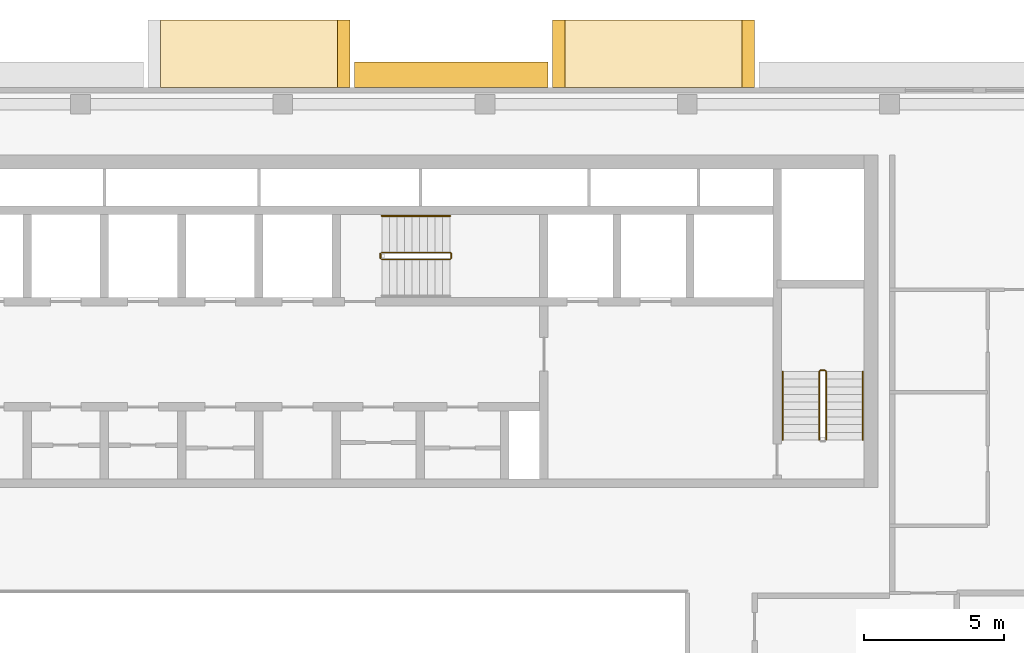
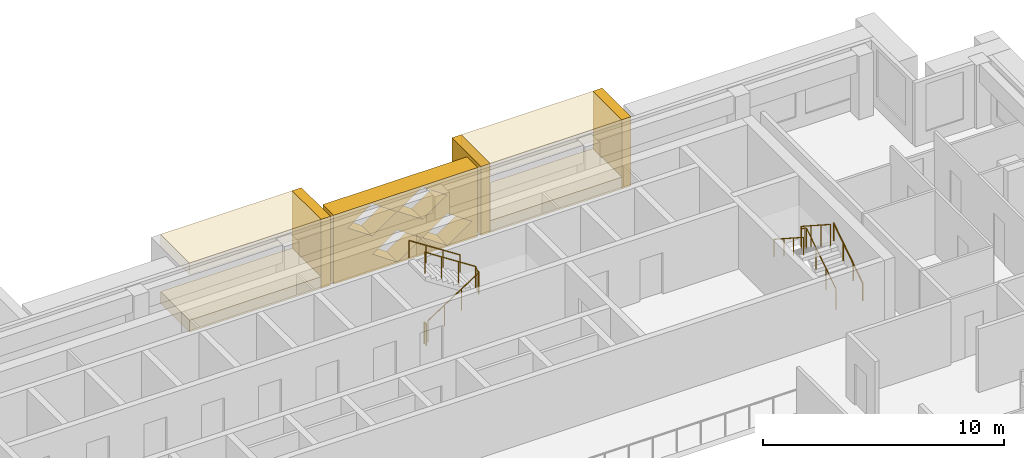
# One storey, part 18 of 19: 8 coverings, 6 railings.
"""IFC4 building model written with IfcOpenShell, lengths in metres."""

from ifc_helpers import new_model, si_unit, direction, frame, origin, origin_2d, place, context, subcontext, project, spatial, polyline, circle, outline, extrude, material, type_object, element, save


model = new_model("IFC4")

# Units and contexts
model_context = context("Model", 3, precision=1e-05, world=origin(), true_north=direction((0.0, 1.0)))
body_context = subcontext(model_context, "Body", "Model", "MODEL_VIEW")
ifc_project = project(units=[si_unit("LENGTHUNIT", "METRE"), si_unit("AREAUNIT", "SQUARE_METRE"), si_unit("VOLUMEUNIT", "CUBIC_METRE"), si_unit("PLANEANGLEUNIT", "RADIAN"), si_unit("MASSUNIT", "GRAM", prefix="KILO")], contexts=[model_context])

# Site, building, storey
site_placement = place(None, origin())
site = spatial("IfcSite", under=ifc_project, at=site_placement, CompositionType="ELEMENT")
building_placement = place(site_placement, origin())
building = spatial("IfcBuilding", under=site, at=building_placement, Name="Saffron Iwan Residences", CompositionType="ELEMENT")
storey_placement = place(building_placement, frame((0.0, 0.0, 229.0)))
storey = spatial("IfcBuildingStorey", under=building, at=storey_placement, Name="L61", CompositionType="ELEMENT", Elevation=229.0)

# Covering
ifc_material_1 = material(Name="Precast concrete C40/50", Category="concrete")
covering_type_1 = type_object("IfcCoveringType", Name="OUTER SKIN LATTICE SCREEN", PredefinedType="CLADDING", material=ifc_material_1)
covering_1_placement = place(storey_placement, frame((59.85009765625, 80.39990234375, -0.280029296875), z_axis=(0.0, 1.0, 0.0), x_axis=(-1.0, 0.0, 0.0)))
element("IfcCovering", 1, at=covering_1_placement, inside=storey, type_object=covering_type_1, Name="OUTER SKIN lattice screen L61 F5.1", PredefinedType="CLADDING", context=body_context, shape_type="SweptSolid", body=[
    extrude(outline(polyline([(0.0, 0.0), (6.89990234375, 0.0), (6.89990234375, 3.5), (0.0, 3.5), (0.0, 0.0)]), holes=[polyline([(0.27001953125, 0.875), (1.449951171875, 0.06005859375), (2.6298828125, 0.875), (1.449951171875, 1.68994140625), (0.27001953125, 0.875)]), polyline([(2.669921875, 0.875), (3.85009765625, 0.06005859375), (5.030029296875, 0.875), (3.85009765625, 1.68994140625), (2.669921875, 0.875)]), polyline([(1.469970703125, 2.625), (2.64990234375, 1.81005859375), (3.830078125, 2.625), (2.64990234375, 3.43994140625), (1.469970703125, 2.625)]), polyline([(3.8701171875, 2.625), (5.050048828125, 1.81005859375), (6.22998046875, 2.625), (5.050048828125, 3.43994140625), (3.8701171875, 2.625)])]), origin(), (0.0, 0.0, 1.0), 0.900146484375),
])

# Railings
ifc_material_2 = material(Name="Steel S355", Category="steel")
railing_type_1 = type_object("IfcRailingType", Name="Stair guard 1100", PredefinedType="GUARDRAIL", material=ifc_material_2)
railing_1_placement = place(storey_placement, frame((53.925048828125, 74.27490234375, 0.175048828125)))
element("IfcRailing", 2, at=railing_1_placement, inside=storey, type_object=railing_type_1, Name="L61 ST-C stair guard 1", PredefinedType="GUARDRAIL", context=body_context, shape_type="SweptSolid", body=[
    extrude(circle(Radius=0.02392578125, at=origin_2d()), frame((0.0, 0.0, 1.076171875), z_axis=(0.839153699163, 0.0, 0.543894354798), x_axis=(0.0, 1.0, 0.0)), (0.0, 0.0, 1.0), 2.895751953125),
    extrude(circle(Radius=0.02392578125, at=origin_2d()), frame((2.429931640625, 0.0, 2.65087890625), z_axis=(0.707106781187, 0.707106781187, 0.0), x_axis=(-0.707106781187, 0.707106781187, 0.0)), (0.0, 0.0, 1.0), 0.07080078125),
    extrude(circle(Radius=0.02392578125, at=origin_2d()), frame((2.47998046875, 0.050048828125, 2.65087890625), z_axis=(0.0, 1.0, 0.0), x_axis=(-1.0, 0.0, 0.0)), (0.0, 0.0, 1.0), 0.150146484375),
    extrude(circle(Radius=0.02392578125, at=origin_2d()), frame((2.47998046875, 0.2001953125, 2.65087890625), z_axis=(-0.265155923931, 0.263862480399, 0.927399011991), x_axis=(-0.705375805398, -0.708833529934, 0.0)), (0.0, 0.0, 1.0), 0.188720703125),
    extrude(circle(Radius=0.02392578125, at=origin_2d()), frame((2.429931640625, 0.25, 2.826171875), z_axis=(-0.839153699163, 0.0, 0.543894354798), x_axis=(0.0, -1.0, 0.0)), (0.0, 0.0, 1.0), 2.895751953125),
    extrude(circle(Radius=0.02099609375, at=origin_2d()), origin(), (0.0, 0.0, 1.0), 1.052001953125),
    extrude(circle(Radius=0.02099609375, at=origin_2d()), frame((0.81005859375, 0.0, 0.52490234375)), (0.0, 0.0, 1.0), 1.052001953125),
    extrude(circle(Radius=0.02099609375, at=origin_2d()), frame((1.619873046875, 0.0, 1.050048828125)), (0.0, 0.0, 1.0), 1.052001953125),
    extrude(circle(Radius=0.02099609375, at=origin_2d()), frame((2.429931640625, 0.0, 1.574951171875)), (0.0, 0.0, 1.0), 1.052001953125),
    extrude(circle(Radius=0.02099609375, at=origin_2d()), frame((2.47998046875, 0.050048828125, 1.574951171875)), (0.0, 0.0, 1.0), 1.052001953125),
    extrude(circle(Radius=0.02099609375, at=origin_2d()), frame((2.47998046875, 0.2001953125, 1.574951171875)), (0.0, 0.0, 1.0), 1.052001953125),
    extrude(circle(Radius=0.02099609375, at=origin_2d()), frame((2.429931640625, 0.25, 1.75)), (0.0, 0.0, 1.0), 1.052001953125),
    extrude(circle(Radius=0.02099609375, at=origin_2d()), frame((1.619873046875, 0.25, 2.27490234375)), (0.0, 0.0, 1.0), 1.052001953125),
    extrude(circle(Radius=0.02099609375, at=origin_2d()), frame((0.81005859375, 0.25, 2.800048828125)), (0.0, 0.0, 1.0), 1.052001953125),
    extrude(circle(Radius=0.02099609375, at=origin_2d()), frame((0.0, 0.25, 3.324951171875)), (0.0, 0.0, 1.0), 1.052001953125),
])
railing_2_placement = place(storey_placement, frame((53.875, 74.324951171875, 0.0)))
element("IfcRailing", 3, at=railing_2_placement, inside=storey, type_object=railing_type_1, Name="L61 ST-C stair guard 2", PredefinedType="GUARDRAIL", context=body_context, shape_type="SweptSolid", body=[
    extrude(circle(Radius=0.02392578125, at=origin_2d()), frame((0.0, 0.0, 1.076171875), z_axis=(0.0, 1.0, 0.0), x_axis=(-1.0, 0.0, 0.0)), (0.0, 0.0, 1.0), 0.150146484375),
    extrude(circle(Radius=0.02099609375, at=origin_2d()), origin(), (0.0, 0.0, 1.0), 1.052001953125),
    extrude(circle(Radius=0.02099609375, at=origin_2d()), frame((0.0, 0.150146484375, 0.0)), (0.0, 0.0, 1.0), 1.052001953125),
])
railing_3_placement = place(storey_placement, frame((69.75, 67.85009765625, 0.175048828125)))
element("IfcRailing", 4, at=railing_3_placement, inside=storey, type_object=railing_type_1, Name="L61 ST-E stair guard 1", PredefinedType="GUARDRAIL", context=body_context, shape_type="SweptSolid", body=[
    extrude(circle(Radius=0.02392578125, at=origin_2d()), frame((0.0, 0.0, 1.076171875), z_axis=(0.0, 0.839153699163, 0.543894354798), x_axis=(-1.0, 0.0, 0.0)), (0.0, 0.0, 1.0), 2.895751953125),
    extrude(circle(Radius=0.02392578125, at=origin_2d()), frame((0.0, 2.429931640625, 2.65087890625), z_axis=(-0.707106781187, 0.707106781187, 0.0), x_axis=(-0.707106781187, -0.707106781187, 0.0)), (0.0, 0.0, 1.0), 0.07080078125),
    extrude(circle(Radius=0.02392578125, at=origin_2d()), frame((-0.050048828125, 2.47998046875, 2.65087890625), z_axis=(-1.0, 0.0, 0.0), x_axis=(0.0, -1.0, 0.0)), (0.0, 0.0, 1.0), 0.14990234375),
    extrude(circle(Radius=0.02392578125, at=origin_2d()), frame((-0.199951171875, 2.47998046875, 2.65087890625), z_axis=(-0.265065253269, -0.265065253269, 0.927081885822), x_axis=(0.707106781187, -0.707106781187, 0.0)), (0.0, 0.0, 1.0), 0.188720703125),
    extrude(circle(Radius=0.02392578125, at=origin_2d()), frame((-0.25, 2.429931640625, 2.826171875), z_axis=(0.0, -0.839153699163, 0.543894354798), x_axis=(1.0, 0.0, 0.0)), (0.0, 0.0, 1.0), 2.895751953125),
    extrude(circle(Radius=0.02099609375, at=origin_2d()), origin(), (0.0, 0.0, 1.0), 1.052001953125),
    extrude(circle(Radius=0.02099609375, at=origin_2d()), frame((0.0, 0.81005859375, 0.52490234375)), (0.0, 0.0, 1.0), 1.052001953125),
    extrude(circle(Radius=0.02099609375, at=origin_2d()), frame((0.0, 1.619873046875, 1.050048828125)), (0.0, 0.0, 1.0), 1.052001953125),
    extrude(circle(Radius=0.02099609375, at=origin_2d()), frame((0.0, 2.429931640625, 1.574951171875)), (0.0, 0.0, 1.0), 1.052001953125),
    extrude(circle(Radius=0.02099609375, at=origin_2d()), frame((-0.050048828125, 2.47998046875, 1.574951171875)), (0.0, 0.0, 1.0), 1.052001953125),
    extrude(circle(Radius=0.02099609375, at=origin_2d()), frame((-0.199951171875, 2.47998046875, 1.574951171875)), (0.0, 0.0, 1.0), 1.052001953125),
    extrude(circle(Radius=0.02099609375, at=origin_2d()), frame((-0.25, 2.429931640625, 1.75)), (0.0, 0.0, 1.0), 1.052001953125),
    extrude(circle(Radius=0.02099609375, at=origin_2d()), frame((-0.25, 1.619873046875, 2.27490234375)), (0.0, 0.0, 1.0), 1.052001953125),
    extrude(circle(Radius=0.02099609375, at=origin_2d()), frame((-0.25, 0.81005859375, 2.800048828125)), (0.0, 0.0, 1.0), 1.052001953125),
    extrude(circle(Radius=0.02099609375, at=origin_2d()), frame((-0.25, 0.0, 3.324951171875)), (0.0, 0.0, 1.0), 1.052001953125),
])
ifc_material_3 = material(Name="Stainless steel 316", Category="steel")
railing_type_2 = type_object("IfcRailingType", Name="Stair handrail 900", PredefinedType="HANDRAIL", material=ifc_material_3)
railing_4_placement = place(storey_placement, frame((56.35498046875, 75.824951171875, 1.925048828125)))
element("IfcRailing", 5, at=railing_4_placement, inside=storey, type_object=railing_type_2, Name="L61 ST-C stair handrail 2", PredefinedType="HANDRAIL", context=body_context, shape_type="SweptSolid", body=[
    extrude(circle(Radius=0.02392578125, at=origin_2d()), frame((0.0, 0.0, 0.8759765625), z_axis=(-0.839153699163, 0.0, 0.543894354798), x_axis=(0.0, -1.0, 0.0)), (0.0, 0.0, 1.0), 2.895751953125),
    extrude(circle(Radius=0.02099609375, at=origin_2d()), origin(), (0.0, 0.0, 1.0), 0.851806640625),
    extrude(circle(Radius=0.02099609375, at=origin_2d()), frame((-0.81005859375, 0.0, 0.52490234375)), (0.0, 0.0, 1.0), 0.851806640625),
    extrude(circle(Radius=0.02099609375, at=origin_2d()), frame((-1.619873046875, 0.0, 1.050048828125)), (0.0, 0.0, 1.0), 0.851806640625),
    extrude(circle(Radius=0.02099609375, at=origin_2d()), frame((-2.429931640625, 0.0, 1.574951171875)), (0.0, 0.0, 1.0), 0.851806640625),
])
railing_5_placement = place(storey_placement, frame((71.050048828125, 67.85009765625, 0.175048828125)))
element("IfcRailing", 6, at=railing_5_placement, inside=storey, type_object=railing_type_2, Name="L61 ST-E stair handrail 1", PredefinedType="HANDRAIL", context=body_context, shape_type="SweptSolid", body=[
    extrude(circle(Radius=0.02392578125, at=origin_2d()), frame((0.0, 0.0, 0.8759765625), z_axis=(0.0, 0.839153699163, 0.543894354798), x_axis=(-1.0, 0.0, 0.0)), (0.0, 0.0, 1.0), 2.895751953125),
    extrude(circle(Radius=0.02099609375, at=origin_2d()), origin(), (0.0, 0.0, 1.0), 0.851806640625),
    extrude(circle(Radius=0.02099609375, at=origin_2d()), frame((0.0, 0.81005859375, 0.52490234375)), (0.0, 0.0, 1.0), 0.851806640625),
    extrude(circle(Radius=0.02099609375, at=origin_2d()), frame((0.0, 1.619873046875, 1.050048828125)), (0.0, 0.0, 1.0), 0.851806640625),
    extrude(circle(Radius=0.02099609375, at=origin_2d()), frame((0.0, 2.429931640625, 1.574951171875)), (0.0, 0.0, 1.0), 0.851806640625),
])
railing_6_placement = place(storey_placement, frame((68.199951171875, 70.280029296875, 1.925048828125)))
element("IfcRailing", 7, at=railing_6_placement, inside=storey, type_object=railing_type_2, Name="L61 ST-E stair handrail 2", PredefinedType="HANDRAIL", context=body_context, shape_type="SweptSolid", body=[
    extrude(circle(Radius=0.02392578125, at=origin_2d()), frame((0.0, 0.0, 0.8759765625), z_axis=(0.0, -0.839153699163, 0.543894354798), x_axis=(1.0, 0.0, 0.0)), (0.0, 0.0, 1.0), 2.895751953125),
    extrude(circle(Radius=0.02099609375, at=origin_2d()), origin(), (0.0, 0.0, 1.0), 0.851806640625),
    extrude(circle(Radius=0.02099609375, at=origin_2d()), frame((0.0, -0.81005859375, 0.52490234375)), (0.0, 0.0, 1.0), 0.851806640625),
    extrude(circle(Radius=0.02099609375, at=origin_2d()), frame((0.0, -1.619873046875, 1.050048828125)), (0.0, 0.0, 1.0), 0.851806640625),
    extrude(circle(Radius=0.02099609375, at=origin_2d()), frame((0.0, -2.429931640625, 1.574951171875)), (0.0, 0.0, 1.0), 0.851806640625),
])

# Coverings
ifc_material_4 = material(Name="Precast concrete C40/50 white painted", Category="concrete")
covering_type_2 = type_object("IfcCoveringType", Name="WHITE SUN FRAME PRECAST", PredefinedType="CLADDING", material=ifc_material_4)
for number, where, z_axis, x_axis, name in (
    (8, (67.199951171875, 80.39990234375, -0.280029296875), (0.0, 1.0, 0.0), (-1.0, 0.0, 0.0), "Sun frame L61 F5 11.6a"),
    (9, (60.449951171875, 80.39990234375, -0.280029296875), (0.0, 1.0, 0.0), (-1.0, 0.0, 0.0), "Sun frame L61 F5 11.6b"),
):
    element("IfcCovering", number, at=place(storey_placement, frame(where, z_axis=z_axis, x_axis=x_axis)), inside=storey, type_object=covering_type_2, Name=name, PredefinedType="CLADDING", context=body_context, shape_type="SweptSolid", body=[
        extrude(outline(polyline([(0.0, 0.0), (0.449951171875, 0.0), (0.449951171875, 3.5), (0.0, 3.5), (0.0, 0.0)])), origin(), (0.0, 0.0, 1.0), 2.400146484375),
    ])
for number, where, z_axis, x_axis, name in (
    (10, (66.75, 80.39990234375, 2.6201171875), (0.0, 1.0, 0.0), (-1.0, 0.0, 0.0), "Sun frame L61 F5 11.6h"),
    (11, (66.75, 80.39990234375, -0.280029296875), (0.0, 1.0, 0.0), (-1.0, 0.0, 0.0), "Sun frame L61 F5 11.6s"),
):
    element("IfcCovering", number, at=place(storey_placement, frame(where, z_axis=z_axis, x_axis=x_axis)), inside=storey, type_object=covering_type_2, Name=name, PredefinedType="CLADDING", context=body_context, shape_type="SweptSolid", body=[
        extrude(outline(polyline([(0.0, 0.0), (6.300048828125, 0.0), (6.300048828125, 0.60009765625), (0.0, 0.60009765625), (0.0, 0.0)])), origin(), (0.0, 0.0, 1.0), 2.400146484375),
    ])
covering_2_placement = place(storey_placement, frame((52.800048828125, 80.39990234375, -0.280029296875), z_axis=(0.0, 1.0, 0.0), x_axis=(-1.0, 0.0, 0.0)))
element("IfcCovering", 12, at=covering_2_placement, inside=storey, type_object=covering_type_2, Name="Sun frame L61 F5 26.0a", PredefinedType="CLADDING", context=body_context, shape_type="SweptSolid", body=[
    extrude(outline(polyline([(0.0, 0.0), (0.449951171875, 0.0), (0.449951171875, 3.5), (0.0, 3.5), (0.0, 0.0)])), origin(), (0.0, 0.0, 1.0), 2.400146484375),
])
for number, where, z_axis, x_axis, name in (
    (13, (52.35009765625, 80.39990234375, 2.6201171875), (0.0, 1.0, 0.0), (-1.0, 0.0, 0.0), "Sun frame L61 F5 26.0h"),
    (14, (52.35009765625, 80.39990234375, -0.280029296875), (0.0, 1.0, 0.0), (-1.0, 0.0, 0.0), "Sun frame L61 F5 26.0s"),
):
    element("IfcCovering", number, at=place(storey_placement, frame(where, z_axis=z_axis, x_axis=x_axis)), inside=storey, type_object=covering_type_2, Name=name, PredefinedType="CLADDING", context=body_context, shape_type="SweptSolid", body=[
        extrude(outline(polyline([(0.0, 0.0), (6.300048828125, 0.0), (6.300048828125, 0.60009765625), (0.0, 0.60009765625), (0.0, 0.0)])), origin(), (0.0, 0.0, 1.0), 2.400146484375),
    ])

save(model, "model.ifc")
